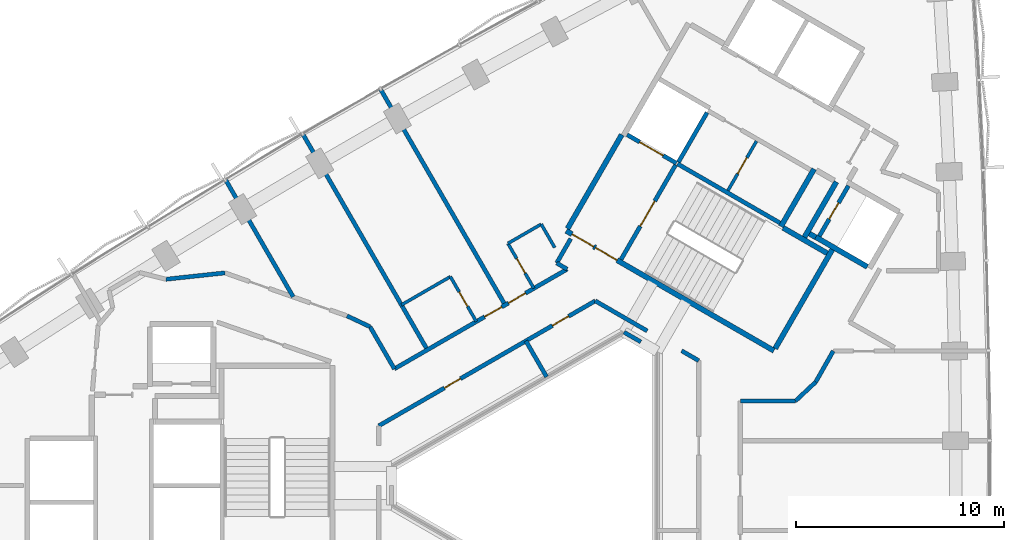
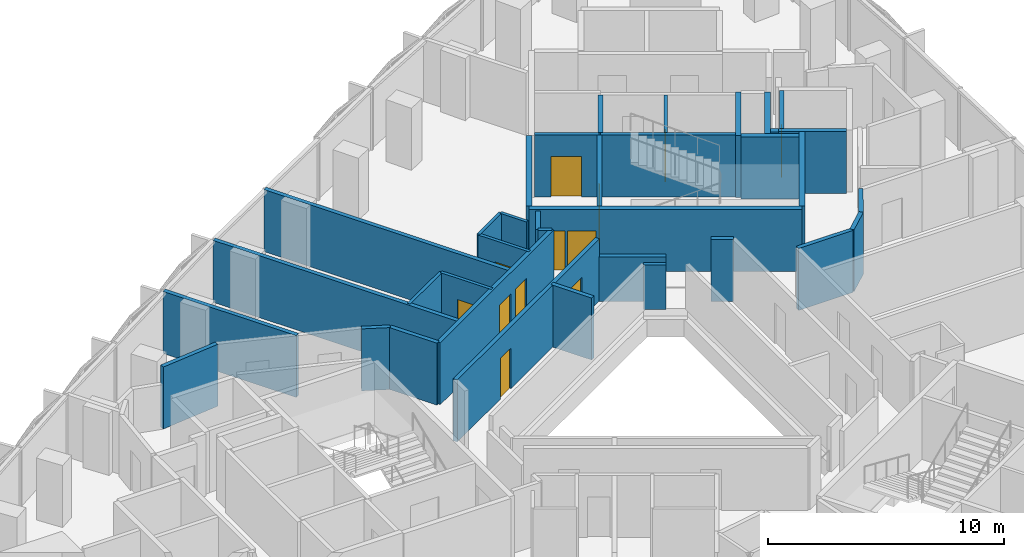
# One storey, part 11 of 15: 36 walls, 12 doors, 12 openings.
"""IFC4 building model written with IfcOpenShell, lengths in metres."""

import ifcopenshell
import ifcopenshell.guid

model = None  # the IFC model being written
_history = None  # IfcOwnerHistory: only IFC2X3 demands one
_inside = {}  # id of a spatial element -> (the spatial element, [elements in it])
_under = {}  # id of a project, library or spatial element -> (it, [spatial elements below it])
_declared = {}  # id of a project -> (the project, [libraries it declares])
_typed = {}  # id of a type object -> (the type object, [elements of that type])
_made_of = {}  # id of a material, layer set ... -> (it, [elements and type objects made of it])


def new_model(schema):
    """Start an empty IFC model of exactly this schema.

    Asked for "IFC4X3", IfcOpenShell would pick the latest addendum, in which some entities
    have other attributes; the version numbers below select the first issue.
    IFC2X3 requires an IfcOwnerHistory on every rooted entity: one is made here for all.
    """
    global model, _history
    if schema == "IFC4X3":
        model = ifcopenshell.file(schema_version=(4, 3, 0, 0))
    else:
        model = ifcopenshell.file(schema=schema)
    _inside.clear()
    _under.clear()
    _declared.clear()
    _typed.clear()
    _made_of.clear()
    _history = None
    if model.schema == "IFC2X3":
        org = make("IfcOrganization", Name="unknown")
        user = make(
            "IfcPersonAndOrganization",
            ThePerson=make("IfcPerson", FamilyName="unknown"),
            TheOrganization=org,
        )
        app = make(
            "IfcApplication",
            ApplicationDeveloper=org,
            Version="unknown",
            ApplicationFullName="unknown",
            ApplicationIdentifier="unknown",
        )
        _history = make(
            "IfcOwnerHistory",
            OwningUser=user,
            OwningApplication=app,
            ChangeAction="ADDED",
            CreationDate=0,
        )
    return model


def make(cls, **values):
    """One entity of the class cls with the attributes given. An attribute that is None is left unset."""
    return model.create_entity(
        cls, **{name: value for name, value in values.items() if value is not None}
    )


def rooted(cls, **values):
    """An entity with a GlobalId (a new one), such as an element, a storey or a relation."""
    return make(cls, GlobalId=ifcopenshell.guid.new(), OwnerHistory=_history, **values)


def si_unit(unit_type, name, prefix=None):
    """IfcSIUnit, for example si_unit("LENGTHUNIT", "METRE", prefix="MILLI")."""
    return make("IfcSIUnit", UnitType=unit_type, Prefix=prefix, Name=name)


def assignment(units):
    """IfcUnitAssignment: the units of a project."""
    return None if units is None else make("IfcUnitAssignment", Units=units)


def point(xyz):
    """IfcCartesianPoint."""
    return None if xyz is None else make("IfcCartesianPoint", Coordinates=xyz)


def direction(xyz):
    """IfcDirection."""
    return None if xyz is None else make("IfcDirection", DirectionRatios=xyz)


def frame(location, z_axis=None, x_axis=None):
    """IfcAxis2Placement3D, a coordinate frame: its origin and axes. An axis left out is left unset."""
    return make(
        "IfcAxis2Placement3D",
        Location=point(location),
        Axis=direction(z_axis),
        RefDirection=direction(x_axis),
    )


def frame_2d(location, x_axis=None):
    """IfcAxis2Placement2D, a coordinate frame in the plane: its origin and x axis."""
    return make(
        "IfcAxis2Placement2D", Location=point(location), RefDirection=direction(x_axis)
    )


def origin():
    """The frame at (0, 0, 0) with its axes left unset."""
    return frame((0.0, 0.0, 0.0))


def place(relative_to, where):
    """IfcLocalPlacement: puts the frame where relative to a parent placement (None: the world)."""
    return make(
        "IfcLocalPlacement", PlacementRelTo=relative_to, RelativePlacement=where
    )


def context(
    kind, dimensions, precision=None, world=None, true_north=None, identifier=None
):
    """IfcGeometricRepresentationContext, for example the 3D "Model" context."""
    return make(
        "IfcGeometricRepresentationContext",
        ContextIdentifier=identifier,
        ContextType=kind,
        CoordinateSpaceDimension=dimensions,
        Precision=precision,
        WorldCoordinateSystem=world,
        TrueNorth=true_north,
    )


def subcontext(parent, identifier, kind, view, scale=None):
    """IfcGeometricRepresentationSubContext, for example "Body" below "Model"."""
    return make(
        "IfcGeometricRepresentationSubContext",
        ContextIdentifier=identifier,
        ContextType=kind,
        ParentContext=parent,
        TargetScale=scale,
        TargetView=view,
    )


def project(units=None, contexts=None):
    """IfcProject with its units and contexts."""
    return rooted(
        "IfcProject",
        Name="project",
        RepresentationContexts=contexts,
        UnitsInContext=assignment(units),
    )


def spatial(cls, under=None, at=None, **own):
    """A site, building, storey or space (cls), placed at a placement, below another one or the project."""
    s = rooted(cls, ObjectPlacement=at, **own)
    if under is not None:
        _under.setdefault(under.id(), (under, []))[1].append(s)
    return s


def profile(cls, at=None, kind="AREA", **sizes):
    """A parametric profile (cls). Its sizes go by their IFC names, for example OverallWidth=200.0."""
    return make(cls, ProfileType=kind, Position=at, **sizes)


def rectangle(**sizes):
    """IfcRectangleProfileDef."""
    return profile("IfcRectangleProfileDef", **sizes)


def extrude(swept, where, along, depth):
    """IfcExtrudedAreaSolid: the profile swept, set in the frame where, extruded along a direction by depth."""
    return make(
        "IfcExtrudedAreaSolid",
        SweptArea=swept,
        Position=where,
        ExtrudedDirection=direction(along),
        Depth=depth,
    )


def shape(context_of_items, identifier, shape_type, items):
    """IfcShapeRepresentation: the items that make up one representation, for example the "Body"."""
    return make(
        "IfcShapeRepresentation",
        ContextOfItems=context_of_items,
        RepresentationIdentifier=identifier,
        RepresentationType=shape_type,
        Items=items,
    )


def material(Name=None, Category=None):
    """IfcMaterial."""
    return make("IfcMaterial", Name=Name, Category=Category)


def layer(
    of_material, thickness, ventilated=None, Name=None, Category=None, Priority=None
):
    """IfcMaterialLayer: one layer of a wall or slab, of a material (None: an air gap)."""
    return make(
        "IfcMaterialLayer",
        Material=of_material,
        LayerThickness=thickness,
        IsVentilated=ventilated,
        Name=Name,
        Category=Category,
        Priority=Priority,
    )


def layer_set(layers, Name=None):
    """IfcMaterialLayerSet."""
    return make("IfcMaterialLayerSet", MaterialLayers=layers, LayerSetName=Name)


def made_of(thing, what):
    """Note that an element or type object is made of a material, layer set ...; save() writes the relation."""
    if what is not None:
        _made_of.setdefault(what.id(), (what, []))[1].append(thing)
    return thing


def type_object(cls, material=None, **own):
    """A type object (cls), such as IfcWallType, which elements share."""
    return made_of(rooted(cls, **own), material)


def element(
    cls,
    number,
    at=None,
    inside=None,
    cuts=None,
    type_object=None,
    material=None,
    context=None,
    identifier="Body",
    shape_type=None,
    held_by="IfcProductDefinitionShape",
    body=None,
    shapes=None,
    **own,
):
    """One element of the class cls, such as IfcWall. Its Tag is "e" and its number.

    at: its placement. inside: the storey or other place that contains it. cuts: it is an
    opening in that element (IfcRelVoidsElement). A single representation is given by context,
    identifier, shape_type and body (its items); several are given by shapes. held_by: the class
    of the entity that holds the representations. save() writes the other relations.
    """
    e = rooted(cls, Tag="e%d" % number, ObjectPlacement=at, **own)
    if body is not None:
        shapes = [shape(context, identifier, shape_type, body)]
    if shapes is not None:
        e.Representation = make(held_by, Representations=shapes)
    if inside is not None:
        _inside.setdefault(inside.id(), (inside, []))[1].append(e)
    if cuts is not None:
        rooted(
            "IfcRelVoidsElement", RelatingBuildingElement=cuts, RelatedOpeningElement=e
        )
    if type_object is not None:
        _typed.setdefault(type_object.id(), (type_object, []))[1].append(e)
    return made_of(e, material)


def fill(opening, filler):
    """IfcRelFillsElement: the door or window that sits in an opening."""
    return rooted(
        "IfcRelFillsElement",
        RelatingOpeningElement=opening,
        RelatedBuildingElement=filler,
    )


def aggregate(whole, parts):
    """IfcRelAggregates: a whole, such as a stair, and the parts it consists of."""
    return rooted("IfcRelAggregates", RelatingObject=whole, RelatedObjects=parts)


def save(model, path):
    """Write the relations noted so far, then the file.

    IfcRelAggregates (storeys below a building ...), IfcRelContainedInSpatialStructure (elements
    in a storey), IfcRelDefinesByType, IfcRelAssociatesMaterial and IfcRelDeclares: one each for
    every whole, place, type object, material and project.
    """
    for whole, parts in _under.values():
        aggregate(whole, parts)
    for where, things in _inside.values():
        rooted(
            "IfcRelContainedInSpatialStructure",
            RelatedElements=things,
            RelatingStructure=where,
        )
    for kind, things in _typed.values():
        rooted("IfcRelDefinesByType", RelatedObjects=things, RelatingType=kind)
    for what, things in _made_of.values():
        rooted("IfcRelAssociatesMaterial", RelatedObjects=things, RelatingMaterial=what)
    for by, libraries in _declared.values():
        rooted("IfcRelDeclares", RelatingContext=by, RelatedDefinitions=libraries)
    model.write(path)


model = new_model("IFC4")

# Units and contexts
model_context = context("Model", 3, precision=1e-05, world=origin(), true_north=direction((0.0, 1.0)))
body_context = subcontext(model_context, "Body", "Model", "MODEL_VIEW")
ifc_project = project(units=[si_unit("LENGTHUNIT", "METRE"), si_unit("AREAUNIT", "SQUARE_METRE"), si_unit("VOLUMEUNIT", "CUBIC_METRE"), si_unit("PLANEANGLEUNIT", "RADIAN"), si_unit("MASSUNIT", "GRAM", prefix="KILO")], contexts=[model_context])

# Site, building, storey
site_placement = place(None, origin())
site = spatial("IfcSite", under=ifc_project, at=site_placement, CompositionType="ELEMENT")
building_placement = place(site_placement, origin())
building = spatial("IfcBuilding", under=site, at=building_placement, Name="Tamra Quay Hotel Tower", CompositionType="ELEMENT")
storey_placement = place(building_placement, frame((0.0, 0.0, 136.0)))
storey = spatial("IfcBuildingStorey", under=building, at=storey_placement, Name="L33", CompositionType="ELEMENT", Elevation=136.0)

# Wall
ifc_material_1 = material(Name="Concrete M70", Category="concrete")
ifc_layer_1 = layer(ifc_material_1, 0.199951171875)
ifc_layer_set_1 = layer_set([ifc_layer_1], Name="Concrete M70 core wall 200")
wall_type_1 = type_object("IfcWallType", Name="Concrete M70 core wall 200", PredefinedType="SHEAR", material=ifc_layer_set_1)
wall_1_placement = place(storey_placement, frame((5.774658203125, 15.501953125, 0.0), z_axis=(0.0, 0.0, 1.0), x_axis=(0.866020080793, -0.500009219579, 0.0)))
element("IfcWall", 1, at=wall_1_placement, inside=storey, type_object=wall_type_1, Name="CW2", PredefinedType="SHEAR", context=body_context, shape_type="SweptSolid", body=[
    extrude(rectangle(XDim=5.69921875, YDim=0.199951171875, at=frame_2d((2.849609375, 0.0))), origin(), (0.0, 0.0, 1.0), 3.199951171875),
])

# Wall, opening, door
wall_2_placement = place(storey_placement, frame((3.056640625, 10.89453125, 0.0), z_axis=(0.0, 0.0, 1.0), x_axis=(0.499989418164, 0.866031513124, 0.0)))
wall_2 = element("IfcWall", 2, at=wall_2_placement, inside=storey, type_object=wall_type_1, Name="CW2", PredefinedType="SHEAR", context=body_context, shape_type="SweptSolid", body=[
    extrude(rectangle(XDim=5.2509765625, YDim=0.199951171875, at=frame_2d((2.62548828125, 0.0))), origin(), (0.0, 0.0, 1.0), 3.199951171875),
])
opening_1_placement = place(wall_2_placement, frame((1.84912109375, 0.0, 0.0)))
opening_1 = element("IfcOpeningElement", 3, at=opening_1_placement, cuts=wall_2, Name="Opening FD2", PredefinedType="OPENING", context=body_context, shape_type="SweptSolid", body=[
    extrude(rectangle(XDim=1.39990234375, YDim=2.10009765625, at=frame_2d((0.699951171875, 1.050048828125))), frame((0.0, 0.10986328125, 0.0), z_axis=(0.0, -1.0, 0.0), x_axis=(1.0, 0.0, 0.0)), (0.0, 0.0, 1.0), 0.219970703125),
])
ifc_material_2 = material(Name="Core door FD2 1400x2100 LH")
door_type_1 = type_object("IfcDoorType", Name="Core door FD2 1400x2100 LH", OperationType="NOTDEFINED", PredefinedType="DOOR", material=ifc_material_2)
door_1_placement = place(opening_1_placement, origin())
door_1 = element("IfcDoor", 4, at=door_1_placement, inside=storey, type_object=door_type_1, Name="FD2", OperationType="SINGLE_SWING_LEFT", OverallHeight=2.10009765625, OverallWidth=1.39990234375, PredefinedType="DOOR", context=body_context, shape_type="SweptSolid", body=[
    extrude(rectangle(XDim=1.39990234375, YDim=2.10009765625, at=frame_2d((0.699951171875, 1.050048828125))), frame((0.0, 0.02490234375, 0.0), z_axis=(0.0, -1.0, 0.0), x_axis=(1.0, 0.0, 0.0)), (0.0, 0.0, 1.0), 0.050048828125),
])
fill(opening_1, door_1)

wall_3_placement = place(storey_placement, frame((14.0078125, 14.442138671875, 0.0), z_axis=(0.0, 0.0, 1.0), x_axis=(-0.499986818241, -0.866033014143, 0.0)))
wall_3 = element("IfcWall", 5, at=wall_3_placement, inside=storey, type_object=wall_type_1, Name="CW2", PredefinedType="SHEAR", context=body_context, shape_type="SweptSolid", body=[
    extrude(rectangle(XDim=2.7978515625, YDim=0.199951171875, at=frame_2d((1.39892578125, 0.0))), origin(), (0.0, 0.0, 1.0), 3.199951171875),
])
opening_2_placement = place(wall_3_placement, frame((0.948974609375, 0.0, 0.0)))
opening_2 = element("IfcOpeningElement", 6, at=opening_2_placement, cuts=wall_3, Name="Opening D1", PredefinedType="OPENING", context=body_context, shape_type="SweptSolid", body=[
    extrude(rectangle(XDim=0.89990234375, YDim=2.10009765625, at=frame_2d((0.449951171875, 1.050048828125))), frame((0.0, 0.10986328125, 0.0), z_axis=(0.0, -1.0, 0.0), x_axis=(1.0, 0.0, 0.0)), (0.0, 0.0, 1.0), 0.219970703125),
])
ifc_material_3 = material(Name="Core door D1 900x2100 LH")
door_type_2 = type_object("IfcDoorType", Name="Core door D1 900x2100 LH", OperationType="NOTDEFINED", PredefinedType="DOOR", material=ifc_material_3)
door_2_placement = place(opening_2_placement, origin())
door_2 = element("IfcDoor", 7, at=door_2_placement, inside=storey, type_object=door_type_2, Name="D1", OperationType="SINGLE_SWING_LEFT", OverallHeight=2.10009765625, OverallWidth=0.89990234375, PredefinedType="DOOR", context=body_context, shape_type="SweptSolid", body=[
    extrude(rectangle(XDim=0.89990234375, YDim=2.10009765625, at=frame_2d((0.449951171875, 1.050048828125))), frame((0.0, 0.02490234375, 0.0), z_axis=(0.0, -1.0, 0.0), x_axis=(1.0, 0.0, 0.0)), (0.0, 0.0, 1.0), 0.050048828125),
])
fill(opening_2, door_2)

# Wall
wall_4_placement = place(storey_placement, frame((7.199462890625, 17.969970703125, 0.0), z_axis=(0.0, 0.0, 1.0), x_axis=(-0.499968400327, -0.866043647095, 0.0)))
element("IfcWall", 8, at=wall_4_placement, inside=storey, type_object=wall_type_1, Name="CW2", PredefinedType="SHEAR", context=body_context, shape_type="SweptSolid", body=[
    extrude(rectangle(XDim=2.749755859375, YDim=0.199951171875, at=frame_2d((1.375, 0.0))), origin(), (0.0, 0.0, 1.0), 3.199951171875),
])

# Wall, opening, door
wall_5_placement = place(storey_placement, frame((5.72509765625, 15.530517578125, 0.0), z_axis=(0.0, 0.0, 1.0), x_axis=(-0.866037306777, 0.499979382845, 0.0)))
wall_5 = element("IfcWall", 9, at=wall_5_placement, inside=storey, type_object=wall_type_1, Name="CW2", PredefinedType="SHEAR", context=body_context, shape_type="SweptSolid", body=[
    extrude(rectangle(XDim=2.74169921875, YDim=0.199951171875, at=frame_2d((1.370849609375, 0.0))), origin(), (0.0, 0.0, 1.0), 3.199951171875),
])
opening_3_placement = place(wall_5_placement, frame((0.742919921875, 0.0, 0.0)))
opening_3 = element("IfcOpeningElement", 10, at=opening_3_placement, cuts=wall_5, Name="Opening LD", PredefinedType="OPENING", context=body_context, shape_type="SweptSolid", body=[
    extrude(rectangle(XDim=1.300048828125, YDim=2.10009765625, at=frame_2d((0.64990234375, 1.050048828125))), frame((0.0, 0.10986328125, 0.0), z_axis=(0.0, -1.0, 0.0), x_axis=(1.0, 0.0, 0.0)), (0.0, 0.0, 1.0), 0.219970703125),
])
ifc_material_4 = material(Name="Landing door LD 1300 sliding to left")
door_type_3 = type_object("IfcDoorType", Name="Landing door LD 1300 sliding to left", OperationType="NOTDEFINED", PredefinedType="DOOR", material=ifc_material_4)
door_3_placement = place(opening_3_placement, origin())
door_3 = element("IfcDoor", 11, at=door_3_placement, inside=storey, type_object=door_type_3, Name="LD", OperationType="SLIDING_TO_LEFT", OverallHeight=2.10009765625, OverallWidth=1.300048828125, PredefinedType="DOOR", context=body_context, shape_type="SweptSolid", body=[
    extrude(rectangle(XDim=1.300048828125, YDim=2.10009765625, at=frame_2d((0.64990234375, 1.050048828125))), frame((0.0, 0.02490234375, 0.0), z_axis=(0.0, -1.0, 0.0), x_axis=(1.0, 0.0, 0.0)), (0.0, 0.0, 1.0), 0.050048828125),
])
fill(opening_3, door_3)

# Wall, openings, doors
ifc_layer_2 = layer(ifc_material_1, 0.25)
ifc_layer_set_2 = layer_set([ifc_layer_2], Name="Concrete M70 core wall 250")
wall_type_2 = type_object("IfcWallType", Name="Concrete M70 core wall 250", PredefinedType="SHEAR", material=ifc_layer_set_2)
wall_6_placement = place(storey_placement, frame((10.419921875, 6.497802734375, 0.0), z_axis=(0.0, 0.0, 1.0), x_axis=(-0.866021906294, 0.500006057782, 0.0)))
wall_6 = element("IfcWall", 12, at=wall_6_placement, inside=storey, type_object=wall_type_2, Name="CW1", PredefinedType="SHEAR", context=body_context, shape_type="SweptSolid", body=[
    extrude(rectangle(XDim=11.550048828125, YDim=0.25, at=frame_2d((5.77490234375, 0.0))), origin(), (0.0, 0.0, 1.0), 3.199951171875),
])
opening_4_placement = place(wall_6_placement, frame((10.02490234375, 0.0, 0.0)))
opening_4 = element("IfcOpeningElement", 13, at=opening_4_placement, cuts=wall_6, Name="Opening FD1", PredefinedType="OPENING", context=body_context, shape_type="SweptSolid", body=[
    extrude(rectangle(XDim=1.199951171875, YDim=2.10009765625, at=frame_2d((0.60009765625, 1.050048828125))), frame((0.0, 0.135009765625, 0.0), z_axis=(0.0, -1.0, 0.0), x_axis=(1.0, 0.0, 0.0)), (0.0, 0.0, 1.0), 0.27001953125),
])
opening_5_placement = place(wall_6_placement, frame((8.724853515625, 0.0, 0.0)))
opening_5 = element("IfcOpeningElement", 14, at=opening_5_placement, cuts=wall_6, Name="Opening FD1", PredefinedType="OPENING", context=body_context, shape_type="SweptSolid", body=[
    extrude(rectangle(XDim=1.199951171875, YDim=2.10009765625, at=frame_2d((0.60009765625, 1.050048828125))), frame((0.0, 0.135009765625, 0.0), z_axis=(0.0, -1.0, 0.0), x_axis=(1.0, 0.0, 0.0)), (0.0, 0.0, 1.0), 0.27001953125),
])
ifc_material_5 = material(Name="Core door FD1 1200x2100 LH")
door_type_4 = type_object("IfcDoorType", Name="Core door FD1 1200x2100 LH", OperationType="NOTDEFINED", PredefinedType="DOOR", material=ifc_material_5)
door_4_placement = place(opening_4_placement, origin())
door_4 = element("IfcDoor", 15, at=door_4_placement, inside=storey, type_object=door_type_4, Name="FD1", OperationType="SINGLE_SWING_LEFT", OverallHeight=2.10009765625, OverallWidth=1.199951171875, PredefinedType="DOOR", context=body_context, shape_type="SweptSolid", body=[
    extrude(rectangle(XDim=1.199951171875, YDim=2.10009765625, at=frame_2d((0.60009765625, 1.050048828125))), frame((0.0, 0.02490234375, 0.0), z_axis=(0.0, -1.0, 0.0), x_axis=(1.0, 0.0, 0.0)), (0.0, 0.0, 1.0), 0.050048828125),
])
fill(opening_4, door_4)
ifc_material_6 = material(Name="Core door FD1 1200x2100 RH")
door_type_5 = type_object("IfcDoorType", Name="Core door FD1 1200x2100 RH", OperationType="NOTDEFINED", PredefinedType="DOOR", material=ifc_material_6)
door_5_placement = place(opening_5_placement, origin())
door_5 = element("IfcDoor", 16, at=door_5_placement, inside=storey, type_object=door_type_5, Name="FD1", OperationType="SINGLE_SWING_RIGHT", OverallHeight=2.10009765625, OverallWidth=1.199951171875, PredefinedType="DOOR", context=body_context, shape_type="SweptSolid", body=[
    extrude(rectangle(XDim=1.199951171875, YDim=2.10009765625, at=frame_2d((0.60009765625, 1.050048828125))), frame((0.0, 0.02490234375, 0.0), z_axis=(0.0, -1.0, 0.0), x_axis=(1.0, 0.0, 0.0)), (0.0, 0.0, 1.0), 0.050048828125),
])
fill(opening_5, door_5)

# Walls
wall_7_placement = place(storey_placement, frame((0.47998046875, 12.38134765625, 0.0), z_axis=(0.0, 0.0, 1.0), x_axis=(0.49999885962, 0.866026062182, 0.0)))
element("IfcWall", 17, at=wall_7_placement, inside=storey, type_object=wall_type_2, Name="CW1", PredefinedType="SHEAR", context=body_context, shape_type="SweptSolid", body=[
    extrude(rectangle(XDim=5.224609375, YDim=0.25, at=frame_2d((2.6123046875, 0.0))), origin(), (0.0, 0.0, 1.0), 3.199951171875),
])
wall_8_placement = place(storey_placement, frame((13.237548828125, 11.3779296875, 0.0), z_axis=(0.0, 0.0, 1.0), x_axis=(-0.500008851346, -0.866020293397, 0.0)))
element("IfcWall", 18, at=wall_8_placement, inside=storey, type_object=wall_type_2, Name="CW1", PredefinedType="SHEAR", context=body_context, shape_type="SweptSolid", body=[
    extrude(rectangle(XDim=5.509765625, YDim=0.25, at=frame_2d((2.7548828125, 0.0))), origin(), (0.0, 0.0, 1.0), 3.199951171875),
])
wall_9_placement = place(storey_placement, frame((12.356689453125, 15.25244140625, 0.0), z_axis=(0.0, 0.0, 1.0), x_axis=(-0.500028443584, -0.866008981251, 0.0)))
element("IfcWall", 19, at=wall_9_placement, inside=storey, type_object=wall_type_2, Name="CW1", PredefinedType="SHEAR", context=body_context, shape_type="SweptSolid", body=[
    extrude(rectangle(XDim=3.199951171875, YDim=0.25, at=frame_2d((1.60009765625, 0.0))), origin(), (0.0, 0.0, 1.0), 3.199951171875),
])
wall_10_placement = place(storey_placement, frame((14.91845703125, 10.540283203125, 0.0), z_axis=(0.0, 0.0, 1.0), x_axis=(-0.866063538972, 0.499933942099, 0.0)))
element("IfcWall", 20, at=wall_10_placement, inside=storey, type_object=wall_type_2, Name="CW1", PredefinedType="SHEAR", context=body_context, shape_type="SweptSolid", body=[
    extrude(rectangle(XDim=2.86474609375, YDim=0.25, at=frame_2d((1.432373046875, 0.0))), origin(), (0.0, 0.0, 1.0), 3.199951171875),
])
wall_11_placement = place(storey_placement, frame((11.887939453125, 11.960693359375, 0.0), z_axis=(0.0, 0.0, 1.0), x_axis=(0.500003324108, 0.866023484601, 0.0)))
element("IfcWall", 21, at=wall_11_placement, inside=storey, type_object=wall_type_2, Name="CW1", PredefinedType="SHEAR", context=body_context, shape_type="SweptSolid", body=[
    extrude(rectangle(XDim=3.0849609375, YDim=0.25, at=frame_2d((1.54248046875, 0.0))), origin(), (0.0, 0.0, 1.0), 3.199951171875),
])
wall_12_placement = place(storey_placement, frame((10.865234375, 12.41845703125, 0.0), z_axis=(0.0, 0.0, 1.0), x_axis=(0.866026229868, -0.499998569178, 0.0)))
element("IfcWall", 22, at=wall_12_placement, inside=storey, type_object=wall_type_2, Name="CW1", PredefinedType="SHEAR", context=body_context, shape_type="SweptSolid", body=[
    extrude(rectangle(XDim=2.44921875, YDim=0.25, at=frame_2d((1.224609375, 0.0))), origin(), (0.0, 0.0, 1.0), 3.199951171875),
])
wall_13_placement = place(storey_placement, frame((12.4326171875, 11.9638671875, 0.0), z_axis=(0.0, 0.0, 1.0), x_axis=(-0.866055875208, 0.499947218231, 0.0)))
element("IfcWall", 23, at=wall_13_placement, inside=storey, type_object=wall_type_2, Name="CW1", PredefinedType="SHEAR", context=body_context, shape_type="SweptSolid", body=[
    extrude(rectangle(XDim=0.3447265625, YDim=0.25, at=frame_2d((0.17236328125, 0.0))), origin(), (0.0, 0.0, 1.0), 3.199951171875),
])

# Wall, opening, door
ifc_material_7 = material(Name="Blockwork", Category="masonry")
ifc_layer_3 = layer(ifc_material_7, 0.14990234375)
ifc_layer_set_3 = layer_set([ifc_layer_3], Name="Core partition block 150")
wall_type_3 = type_object("IfcWallType", Name="Core partition block 150", PredefinedType="PARTITIONING", material=ifc_layer_set_3)
wall_14_placement = place(storey_placement, frame((8.20654296875, 14.214111328125, 0.0), z_axis=(0.0, 0.0, 1.0), x_axis=(0.499922376475, 0.866070215109, 0.0)))
wall_14 = element("IfcWall", 24, at=wall_14_placement, inside=storey, type_object=wall_type_3, Name="CP1", PredefinedType="PARTITIONING", context=body_context, shape_type="SweptSolid", body=[
    extrude(rectangle(XDim=2.74853515625, YDim=0.14990234375, at=frame_2d((1.374267578125, 0.0))), origin(), (0.0, 0.0, 1.0), 3.199951171875),
])
opening_6_placement = place(wall_14_placement, frame((0.92431640625, 0.0, 0.0)))
opening_6 = element("IfcOpeningElement", 25, at=opening_6_placement, cuts=wall_14, Name="Opening D2", PredefinedType="OPENING", context=body_context, shape_type="SweptSolid", body=[
    extrude(rectangle(XDim=0.89990234375, YDim=2.10009765625, at=frame_2d((0.449951171875, 1.050048828125))), frame((0.0, 0.0849609375, 0.0), z_axis=(0.0, -1.0, 0.0), x_axis=(1.0, 0.0, 0.0)), (0.0, 0.0, 1.0), 0.169921875),
])
ifc_material_8 = material(Name="Core door D2 900x2100 RH")
door_type_6 = type_object("IfcDoorType", Name="Core door D2 900x2100 RH", OperationType="NOTDEFINED", PredefinedType="DOOR", material=ifc_material_8)
door_6_placement = place(opening_6_placement, origin())
door_6 = element("IfcDoor", 26, at=door_6_placement, inside=storey, type_object=door_type_6, Name="D2", OperationType="SINGLE_SWING_RIGHT", OverallHeight=2.10009765625, OverallWidth=0.89990234375, PredefinedType="DOOR", context=body_context, shape_type="SweptSolid", body=[
    extrude(rectangle(XDim=0.89990234375, YDim=2.10009765625, at=frame_2d((0.449951171875, 1.050048828125))), frame((0.0, 0.02490234375, 0.0), z_axis=(0.0, -1.0, 0.0), x_axis=(1.0, 0.0, 0.0)), (0.0, 0.0, 1.0), 0.050048828125),
])
fill(opening_6, door_6)

# Walls
ifc_material_9 = material(Name="Partition corridor wall")
ifc_layer_4 = layer(ifc_material_9, 0.199951171875)
ifc_layer_set_4 = layer_set([ifc_layer_4], Name="Partition corridor wall")
wall_type_4 = type_object("IfcWallType", Name="Partition corridor wall", PredefinedType="PARTITIONING", material=ifc_layer_set_4)
wall_15_placement = place(storey_placement, frame((-18.864990234375, 9.94091796875, 0.0), z_axis=(0.0, 0.0, 1.0), x_axis=(0.99423123086, 0.107257911519, 0.0)))
element("IfcWall", 27, at=wall_15_placement, inside=storey, type_object=wall_type_4, Name="W-C", PredefinedType="PARTITIONING", context=body_context, shape_type="SweptSolid", body=[
    extrude(rectangle(XDim=2.854248046875, YDim=0.199951171875, at=frame_2d((1.42724609375, 0.0))), origin(), (0.0, 0.0, 1.0), 3.199951171875),
])
wall_16_placement = place(storey_placement, frame((-10.14111328125, 8.176025390625, 0.0), z_axis=(0.0, 0.0, 1.0), x_axis=(0.903904169039, -0.427735026849, 0.0)))
element("IfcWall", 28, at=wall_16_placement, inside=storey, type_object=wall_type_4, Name="W-C", PredefinedType="PARTITIONING", context=body_context, shape_type="SweptSolid", body=[
    extrude(rectangle(XDim=1.224853515625, YDim=0.199951171875, at=frame_2d((0.6123046875, 0.0))), origin(), (0.0, 0.0, 1.0), 3.199951171875),
])
wall_17_placement = place(storey_placement, frame((-9.032958984375, 7.65087890625, 0.0), z_axis=(0.0, 0.0, 1.0), x_axis=(0.500354010599, -0.865820919173, 0.0)))
element("IfcWall", 29, at=wall_17_placement, inside=storey, type_object=wall_type_4, Name="W-C", PredefinedType="PARTITIONING", context=body_context, shape_type="SweptSolid", body=[
    extrude(rectangle(XDim=2.342041015625, YDim=0.199951171875, at=frame_2d((1.1708984375, 0.0))), origin(), (0.0, 0.0, 1.0), 3.199951171875),
])

# Wall, openings, doors
wall_18_placement = place(storey_placement, frame((-8.61279296875, 2.88134765625, 0.0), z_axis=(0.0, 0.0, 1.0), x_axis=(0.866103179807, 0.499865263774, 0.0)))
wall_18 = element("IfcWall", 30, at=wall_18_placement, inside=storey, type_object=wall_type_4, Name="W-C", PredefinedType="PARTITIONING", context=body_context, shape_type="SweptSolid", body=[
    extrude(rectangle(XDim=12.036376953125, YDim=0.199951171875, at=frame_2d((6.01806640625, 0.0))), origin(), (0.0, 0.0, 1.0), 3.199951171875),
])
opening_7_placement = place(wall_18_placement, frame((9.65185546875, 0.0, 0.0)))
opening_7 = element("IfcOpeningElement", 31, at=opening_7_placement, cuts=wall_18, Name="Opening L33-D026", PredefinedType="OPENING", context=body_context, shape_type="SweptSolid", body=[
    extrude(rectangle(XDim=0.89990234375, YDim=2.10009765625, at=frame_2d((0.449951171875, 1.050048828125))), frame((0.0, 0.10986328125, 0.0), z_axis=(0.0, -1.0, 0.0), x_axis=(1.0, 0.0, 0.0)), (0.0, 0.0, 1.0), 0.219970703125),
])
opening_8_placement = place(wall_18_placement, frame((3.6455078125, 0.0, 0.0)))
opening_8 = element("IfcOpeningElement", 32, at=opening_8_placement, cuts=wall_18, Name="Opening L33-D027", PredefinedType="OPENING", context=body_context, shape_type="SweptSolid", body=[
    extrude(rectangle(XDim=0.89990234375, YDim=2.10009765625, at=frame_2d((0.449951171875, 1.050048828125))), frame((0.0, 0.10986328125, 0.0), z_axis=(0.0, -1.0, 0.0), x_axis=(1.0, 0.0, 0.0)), (0.0, 0.0, 1.0), 0.219970703125),
])
ifc_material_10 = material(Name="Door service room 900x2100")
door_type_7 = type_object("IfcDoorType", Name="Door service room 900x2100", OperationType="NOTDEFINED", PredefinedType="DOOR", material=ifc_material_10)
door_7_placement = place(opening_7_placement, frame((0.89990234375, 0.0, 0.0), z_axis=(0.0, 0.0, 1.0), x_axis=(-1.0, 0.0, 0.0)))
door_7 = element("IfcDoor", 33, at=door_7_placement, inside=storey, type_object=door_type_7, Name="L33-D026", OperationType="SINGLE_SWING_LEFT", OverallHeight=2.10009765625, OverallWidth=0.89990234375, PredefinedType="DOOR", context=body_context, shape_type="SweptSolid", body=[
    extrude(rectangle(XDim=0.89990234375, YDim=2.10009765625, at=frame_2d((0.449951171875, 1.050048828125))), frame((0.0, 0.02490234375, 0.0), z_axis=(0.0, -1.0, 0.0), x_axis=(1.0, 0.0, 0.0)), (0.0, 0.0, 1.0), 0.050048828125),
])
fill(opening_7, door_7)
door_8_placement = place(opening_8_placement, frame((0.89990234375, 0.0, 0.0), z_axis=(0.0, 0.0, 1.0), x_axis=(-1.0, 0.0, 0.0)))
door_8 = element("IfcDoor", 34, at=door_8_placement, inside=storey, type_object=door_type_7, Name="L33-D027", OperationType="SINGLE_SWING_LEFT", OverallHeight=2.10009765625, OverallWidth=0.89990234375, PredefinedType="DOOR", context=body_context, shape_type="SweptSolid", body=[
    extrude(rectangle(XDim=0.89990234375, YDim=2.10009765625, at=frame_2d((0.449951171875, 1.050048828125))), frame((0.0, 0.02490234375, 0.0), z_axis=(0.0, -1.0, 0.0), x_axis=(1.0, 0.0, 0.0)), (0.0, 0.0, 1.0), 0.050048828125),
])
fill(opening_8, door_8)

wall_19_placement = place(storey_placement, frame((-7.861572265625, 5.624267578125, 0.0), z_axis=(0.0, 0.0, 1.0), x_axis=(0.866109024618, 0.499855136491, 0.0)))
wall_19 = element("IfcWall", 35, at=wall_19_placement, inside=storey, type_object=wall_type_4, Name="W-C", PredefinedType="PARTITIONING", context=body_context, shape_type="SweptSolid", body=[
    extrude(rectangle(XDim=9.610107421875, YDim=0.199951171875, at=frame_2d((4.80517578125, 0.0))), origin(), (0.0, 0.0, 1.0), 3.199951171875),
])
opening_9_placement = place(wall_19_placement, frame((6.345458984375, 0.0, 0.0)))
opening_9 = element("IfcOpeningElement", 36, at=opening_9_placement, cuts=wall_19, Name="Opening L33-D006", PredefinedType="OPENING", context=body_context, shape_type="SweptSolid", body=[
    extrude(rectangle(XDim=0.949951171875, YDim=2.10009765625, at=frame_2d((0.47509765625, 1.050048828125))), frame((0.0, 0.10986328125, 0.0), z_axis=(0.0, -1.0, 0.0), x_axis=(1.0, 0.0, 0.0)), (0.0, 0.0, 1.0), 0.219970703125),
])
opening_10_placement = place(wall_19_placement, frame((5.019775390625, 0.0, 0.0)))
opening_10 = element("IfcOpeningElement", 37, at=opening_10_placement, cuts=wall_19, Name="Opening L33-D008", PredefinedType="OPENING", context=body_context, shape_type="SweptSolid", body=[
    extrude(rectangle(XDim=0.949951171875, YDim=2.10009765625, at=frame_2d((0.47509765625, 1.050048828125))), frame((0.0, 0.10986328125, 0.0), z_axis=(0.0, -1.0, 0.0), x_axis=(1.0, 0.0, 0.0)), (0.0, 0.0, 1.0), 0.219970703125),
])
ifc_material_11 = material(Name="Door guest room 950x2100")
door_type_8 = type_object("IfcDoorType", Name="Door guest room 950x2100", OperationType="NOTDEFINED", PredefinedType="DOOR", material=ifc_material_11)
door_9_placement = place(opening_9_placement, origin())
door_9 = element("IfcDoor", 38, at=door_9_placement, inside=storey, type_object=door_type_8, Name="L33-D006", OperationType="SINGLE_SWING_LEFT", OverallHeight=2.10009765625, OverallWidth=0.949951171875, PredefinedType="DOOR", context=body_context, shape_type="SweptSolid", body=[
    extrude(rectangle(XDim=0.949951171875, YDim=2.10009765625, at=frame_2d((0.47509765625, 1.050048828125))), frame((0.0, 0.02490234375, 0.0), z_axis=(0.0, -1.0, 0.0), x_axis=(1.0, 0.0, 0.0)), (0.0, 0.0, 1.0), 0.050048828125),
])
fill(opening_9, door_9)
door_10_placement = place(opening_10_placement, origin())
door_10 = element("IfcDoor", 39, at=door_10_placement, inside=storey, type_object=door_type_8, Name="L33-D008", OperationType="SINGLE_SWING_LEFT", OverallHeight=2.10009765625, OverallWidth=0.949951171875, PredefinedType="DOOR", context=body_context, shape_type="SweptSolid", body=[
    extrude(rectangle(XDim=0.949951171875, YDim=2.10009765625, at=frame_2d((0.47509765625, 1.050048828125))), frame((0.0, 0.02490234375, 0.0), z_axis=(0.0, -1.0, 0.0), x_axis=(1.0, 0.0, 0.0)), (0.0, 0.0, 1.0), 0.050048828125),
])
fill(opening_10, door_10)

# Walls
wall_20_placement = place(storey_placement, frame((-0.044921875, 10.720947265625, 0.0), z_axis=(0.0, 0.0, 1.0), x_axis=(0.865768710998, -0.500444341617, 0.0)))
element("IfcWall", 40, at=wall_20_placement, inside=storey, type_object=wall_type_4, Name="W-C", PredefinedType="PARTITIONING", context=body_context, shape_type="SweptSolid", body=[
    extrude(rectangle(XDim=0.58544921875, YDim=0.199951171875, at=frame_2d((0.292724609375, 0.0))), origin(), (0.0, 0.0, 1.0), 3.199951171875),
])
wall_21_placement = place(storey_placement, frame((-0.04443359375, 10.7216796875, 0.0), z_axis=(0.0, 0.0, 1.0), x_axis=(0.500034408226, 0.866005537274, 0.0)))
element("IfcWall", 41, at=wall_21_placement, inside=storey, type_object=wall_type_4, Name="W-C", PredefinedType="PARTITIONING", context=body_context, shape_type="SweptSolid", body=[
    extrude(rectangle(XDim=1.35498046875, YDim=0.199951171875, at=frame_2d((0.677490234375, 0.0))), origin(), (0.0, 0.0, 1.0), 3.199951171875),
])
wall_22_placement = place(storey_placement, frame((1.812744140625, 8.899169921875, 0.0), z_axis=(0.0, 0.0, 1.0), x_axis=(0.865957732194, -0.50011719232, 0.0)))
element("IfcWall", 42, at=wall_22_placement, inside=storey, type_object=wall_type_4, Name="W-C", PredefinedType="PARTITIONING", context=body_context, shape_type="SweptSolid", body=[
    extrude(rectangle(XDim=2.890869140625, YDim=0.199951171875, at=frame_2d((1.4453125, 0.0))), origin(), (0.0, 0.0, 1.0), 2.300048828125),
])
wall_23_placement = place(storey_placement, frame((5.97412109375, 6.49609375, 0.0), z_axis=(0.0, 0.0, 1.0), x_axis=(0.865934055563, -0.500158186394, 0.0)))
element("IfcWall", 43, at=wall_23_placement, inside=storey, type_object=wall_type_4, Name="W-C", PredefinedType="PARTITIONING", context=body_context, shape_type="SweptSolid", body=[
    extrude(rectangle(XDim=0.953857421875, YDim=0.199951171875, at=frame_2d((0.47705078125, 0.0))), origin(), (0.0, 0.0, 1.0), 3.199951171875),
])
wall_24_placement = place(storey_placement, frame((8.800048828125, 4.077880859375, 0.0), z_axis=(0.0, 0.0, 1.0), x_axis=(1.0, 0.0, 0.0)))
element("IfcWall", 44, at=wall_24_placement, inside=storey, type_object=wall_type_4, Name="W-C", PredefinedType="PARTITIONING", context=body_context, shape_type="SweptSolid", body=[
    extrude(rectangle(XDim=2.657958984375, YDim=0.199951171875, at=frame_2d((1.3291015625, 0.0))), origin(), (0.0, 0.0, 1.0), 3.199951171875),
])
wall_25_placement = place(storey_placement, frame((11.4580078125, 4.077880859375, 0.0), z_axis=(0.0, 0.0, 1.0), x_axis=(0.729936032318, 0.683515463412, 0.0)))
element("IfcWall", 45, at=wall_25_placement, inside=storey, type_object=wall_type_4, Name="W-C", PredefinedType="PARTITIONING", context=body_context, shape_type="SweptSolid", body=[
    extrude(rectangle(XDim=1.3359375, YDim=0.199951171875, at=frame_2d((0.66796875, 0.0))), origin(), (0.0, 0.0, 1.0), 3.199951171875),
])
wall_26_placement = place(storey_placement, frame((12.43310546875, 4.991943359375, 0.0), z_axis=(0.0, 0.0, 1.0), x_axis=(0.492807777065, 0.870138204462, 0.0)))
element("IfcWall", 46, at=wall_26_placement, inside=storey, type_object=wall_type_4, Name="W-C", PredefinedType="PARTITIONING", context=body_context, shape_type="SweptSolid", body=[
    extrude(rectangle(XDim=1.714599609375, YDim=0.199951171875, at=frame_2d((0.857421875, 0.0))), origin(), (0.0, 0.0, 1.0), 3.199951171875),
])
ifc_material_12 = material(Name="Partition en-suite wall")
ifc_layer_5 = layer(ifc_material_12, 0.14990234375)
ifc_layer_set_5 = layer_set([ifc_layer_5], Name="Partition en-suite wall")
wall_type_5 = type_object("IfcWallType", Name="Partition en-suite wall", PredefinedType="PARTITIONING", material=ifc_layer_set_5)
wall_27_placement = place(storey_placement, frame((-7.521728515625, 8.704345703125, 0.0), z_axis=(0.0, 0.0, 1.0), x_axis=(0.865972067821, 0.500092369221, 0.0)))
element("IfcWall", 47, at=wall_27_placement, inside=storey, type_object=wall_type_5, Name="W-E", PredefinedType="PARTITIONING", context=body_context, shape_type="SweptSolid", body=[
    extrude(rectangle(XDim=2.72314453125, YDim=0.14990234375, at=frame_2d((1.361572265625, 0.0))), origin(), (0.0, 0.0, 1.0), 3.199951171875),
])

# Wall, opening, door
wall_28_placement = place(storey_placement, frame((-5.1640625, 10.06689453125, 0.0), z_axis=(0.0, 0.0, 1.0), x_axis=(0.500046524342, -0.865998541277, 0.0)))
wall_28 = element("IfcWall", 48, at=wall_28_placement, inside=storey, type_object=wall_type_5, Name="W-E", PredefinedType="PARTITIONING", context=body_context, shape_type="SweptSolid", body=[
    extrude(rectangle(XDim=2.499755859375, YDim=0.14990234375, at=frame_2d((1.25, 0.0))), origin(), (0.0, 0.0, 1.0), 3.199951171875),
])
opening_11_placement = place(wall_28_placement, frame((0.850341796875, 0.0, 0.0)))
opening_11 = element("IfcOpeningElement", 49, at=opening_11_placement, cuts=wall_28, Name="Opening L33-D009", PredefinedType="OPENING", context=body_context, shape_type="SweptSolid", body=[
    extrude(rectangle(XDim=0.800048828125, YDim=2.10009765625, at=frame_2d((0.39990234375, 1.050048828125))), frame((0.0, 0.0849609375, 0.0), z_axis=(0.0, -1.0, 0.0), x_axis=(1.0, 0.0, 0.0)), (0.0, 0.0, 1.0), 0.169921875),
])
ifc_material_13 = material(Name="Door en-suite 800x2100")
door_type_9 = type_object("IfcDoorType", Name="Door en-suite 800x2100", OperationType="NOTDEFINED", PredefinedType="DOOR", material=ifc_material_13)
door_11_placement = place(opening_11_placement, frame((0.800048828125, 0.0, 0.0), z_axis=(0.0, 0.0, 1.0), x_axis=(-1.0, 0.0, 0.0)))
door_11 = element("IfcDoor", 50, at=door_11_placement, inside=storey, type_object=door_type_9, Name="L33-D009", OperationType="SINGLE_SWING_LEFT", OverallHeight=2.10009765625, OverallWidth=0.800048828125, PredefinedType="DOOR", context=body_context, shape_type="SweptSolid", body=[
    extrude(rectangle(XDim=0.800048828125, YDim=2.10009765625, at=frame_2d((0.39990234375, 1.050048828125))), frame((0.0, 0.02490234375, 0.0), z_axis=(0.0, -1.0, 0.0), x_axis=(1.0, 0.0, 0.0)), (0.0, 0.0, 1.0), 0.050048828125),
])
fill(opening_11, door_11)

wall_29_placement = place(storey_placement, frame((-2.39111328125, 11.6650390625, 0.0), z_axis=(0.0, 0.0, 1.0), x_axis=(0.500049599607, -0.865996765544, 0.0)))
wall_29 = element("IfcWall", 51, at=wall_29_placement, inside=storey, type_object=wall_type_5, Name="W-E", PredefinedType="PARTITIONING", context=body_context, shape_type="SweptSolid", body=[
    extrude(rectangle(XDim=2.497802734375, YDim=0.14990234375, at=frame_2d((1.2490234375, 0.0))), origin(), (0.0, 0.0, 1.0), 3.199951171875),
])
opening_12_placement = place(wall_29_placement, frame((0.84765625, 0.0, 0.0)))
opening_12 = element("IfcOpeningElement", 52, at=opening_12_placement, cuts=wall_29, Name="Opening L33-D007", PredefinedType="OPENING", context=body_context, shape_type="SweptSolid", body=[
    extrude(rectangle(XDim=0.800048828125, YDim=2.10009765625, at=frame_2d((0.39990234375, 1.050048828125))), frame((0.0, 0.0849609375, 0.0), z_axis=(0.0, -1.0, 0.0), x_axis=(1.0, 0.0, 0.0)), (0.0, 0.0, 1.0), 0.169921875),
])
door_12_placement = place(opening_12_placement, origin())
door_12 = element("IfcDoor", 53, at=door_12_placement, inside=storey, type_object=door_type_9, Name="L33-D007", OperationType="SINGLE_SWING_LEFT", OverallHeight=2.10009765625, OverallWidth=0.800048828125, PredefinedType="DOOR", context=body_context, shape_type="SweptSolid", body=[
    extrude(rectangle(XDim=0.800048828125, YDim=2.10009765625, at=frame_2d((0.39990234375, 1.050048828125))), frame((0.0, 0.02490234375, 0.0), z_axis=(0.0, -1.0, 0.0), x_axis=(1.0, 0.0, 0.0)), (0.0, 0.0, 1.0), 0.050048828125),
])
fill(opening_12, door_12)

# Walls
wall_30_placement = place(storey_placement, frame((-2.389892578125, 11.66796875, 0.0), z_axis=(0.0, 0.0, 1.0), x_axis=(0.865932482239, 0.500160910312, 0.0)))
element("IfcWall", 54, at=wall_30_placement, inside=storey, type_object=wall_type_5, Name="W-E", PredefinedType="PARTITIONING", context=body_context, shape_type="SweptSolid", body=[
    extrude(rectangle(XDim=1.84765625, YDim=0.14990234375, at=frame_2d((0.923828125, 0.0))), origin(), (0.0, 0.0, 1.0), 3.199951171875),
])
wall_31_placement = place(storey_placement, frame((-0.787109375, 12.591064453125, 0.0), z_axis=(0.0, 0.0, 1.0), x_axis=(0.499749509877, -0.866169976031, 0.0)))
element("IfcWall", 55, at=wall_31_placement, inside=storey, type_object=wall_type_5, Name="W-E", PredefinedType="PARTITIONING", context=body_context, shape_type="SweptSolid", body=[
    extrude(rectangle(XDim=1.302001953125, YDim=0.14990234375, at=frame_2d((0.65087890625, 0.0))), origin(), (0.0, 0.0, 1.0), 3.199951171875),
])
ifc_material_14 = material(Name="Partition party wall")
ifc_layer_6 = layer(ifc_material_14, 0.199951171875)
ifc_layer_set_6 = layer_set([ifc_layer_6], Name="Partition party wall")
wall_type_6 = type_object("IfcWallType", Name="Partition party wall", PredefinedType="PARTITIONING", material=ifc_layer_set_6)
wall_32_placement = place(storey_placement, frame((-15.996337890625, 14.73974609375, 0.0), z_axis=(0.0, 0.0, 1.0), x_axis=(0.499925398456, -0.866068470722, 0.0)))
element("IfcWall", 56, at=wall_32_placement, inside=storey, type_object=wall_type_6, Name="W-P", PredefinedType="PARTITIONING", context=body_context, shape_type="SweptSolid", body=[
    extrude(rectangle(XDim=6.52587890625, YDim=0.199951171875, at=frame_2d((3.262939453125, 0.0))), origin(), (0.0, 0.0, 1.0), 3.199951171875),
])
wall_33_placement = place(storey_placement, frame((-12.278564453125, 16.94580078125, 0.0), z_axis=(0.0, 0.0, 1.0), x_axis=(0.499902454835, -0.866081714187, 0.0)))
element("IfcWall", 57, at=wall_33_placement, inside=storey, type_object=wall_type_6, Name="W-P", PredefinedType="PARTITIONING", context=body_context, shape_type="SweptSolid", body=[
    extrude(rectangle(XDim=12.01513671875, YDim=0.199951171875, at=frame_2d((6.007568359375, 0.0))), origin(), (0.0, 0.0, 1.0), 3.199951171875),
])
wall_34_placement = place(storey_placement, frame((-8.535400390625, 19.10693359375, 0.0), z_axis=(0.0, 0.0, 1.0), x_axis=(0.499972843048, -0.86604108229, 0.0)))
element("IfcWall", 58, at=wall_34_placement, inside=storey, type_object=wall_type_6, Name="W-P", PredefinedType="PARTITIONING", context=body_context, shape_type="SweptSolid", body=[
    extrude(rectangle(XDim=12.013427734375, YDim=0.199951171875, at=frame_2d((6.0068359375, 0.0))), origin(), (0.0, 0.0, 1.0), 3.199951171875),
])
wall_35_placement = place(storey_placement, frame((-1.52783203125, 6.968994140625, 0.0), z_axis=(0.0, 0.0, 1.0), x_axis=(0.500000846469, -0.866024915075, 0.0)))
element("IfcWall", 59, at=wall_35_placement, inside=storey, type_object=wall_type_6, Name="W-P", PredefinedType="PARTITIONING", context=body_context, shape_type="SweptSolid", body=[
    extrude(rectangle(XDim=1.9990234375, YDim=0.199951171875, at=frame_2d((0.99951171875, 0.0))), origin(), (0.0, 0.0, 1.0), 3.199951171875),
])
wall_36_placement = place(storey_placement, frame((3.199951171875, 7.389892578125, 0.0), z_axis=(0.0, 0.0, 1.0), x_axis=(0.865985641702, -0.500068863623, 0.0)))
element("IfcWall", 60, at=wall_36_placement, inside=storey, type_object=wall_type_6, Name="W-P", PredefinedType="PARTITIONING", context=body_context, shape_type="SweptSolid", body=[
    extrude(rectangle(XDim=0.935302734375, YDim=0.199951171875, at=frame_2d((0.4677734375, 0.0))), origin(), (0.0, 0.0, 1.0), 2.300048828125),
])

save(model, "model.ifc")
